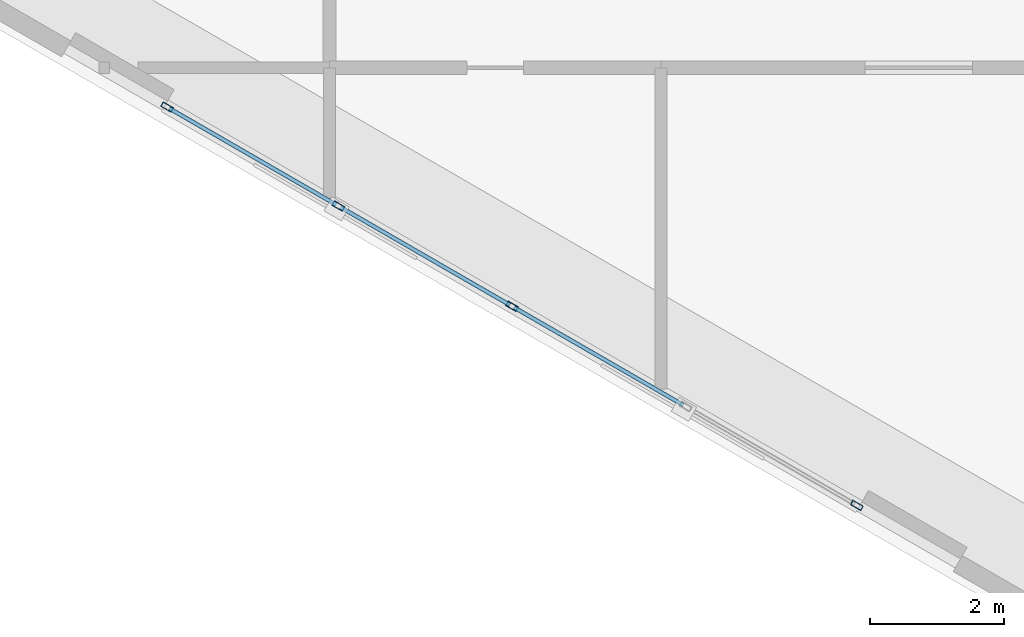
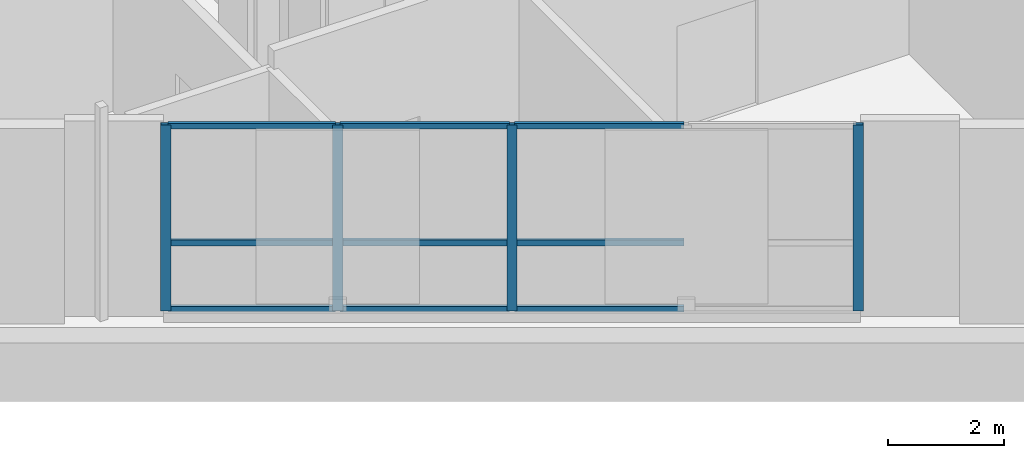
# One storey, part 3 of 29: 13 members, 1 element without a shape of its own.
"""IFC4 building model written with IfcOpenShell, lengths in metres."""

from ifc_helpers import new_model, si_unit, direction, frame, origin, origin_2d, place, context, subcontext, project, spatial, hollow_rectangle, extrude, material, layer, layer_set, material_profile, profile_set, type_object, element, aggregate, save


model = new_model("IFC4")

# Units and contexts
model_context = context("Model", 3, precision=1e-05, world=origin(), true_north=direction((0.0, 1.0)))
body_context = subcontext(model_context, "Body", "Model", "MODEL_VIEW")
ifc_project = project(units=[si_unit("LENGTHUNIT", "METRE"), si_unit("AREAUNIT", "SQUARE_METRE"), si_unit("VOLUMEUNIT", "CUBIC_METRE"), si_unit("PLANEANGLEUNIT", "RADIAN"), si_unit("MASSUNIT", "GRAM", prefix="KILO")], contexts=[model_context])

# Site, building, storey
site_placement = place(None, origin())
site = spatial("IfcSite", under=ifc_project, at=site_placement, CompositionType="ELEMENT")
building_placement = place(site_placement, origin())
building = spatial("IfcBuilding", under=site, at=building_placement, Name="Mersakhor Tower and Convention Hall", CompositionType="ELEMENT")
storey_placement = place(building_placement, frame((0.0, 0.0, 9.60009765625)))
storey = spatial("IfcBuildingStorey", under=building, at=storey_placement, Name="L02", CompositionType="ELEMENT", Elevation=9.60009765625)

# Curtain wall, members
ifc_material_1 = material(Name="Dark solar low-E aluminium curtain wall", Category="aluminium")
ifc_layer = layer(ifc_material_1, 0.18994140625)
ifc_layer_set = layer_set([ifc_layer], Name="Dark solar low-E aluminium curtain wall")
curtain_wall_type = type_object("IfcCurtainWallType", Name="CW-SYS-04", PredefinedType="USERDEFINED", material=ifc_layer_set)
curtain_wall_placement = place(storey_placement, origin())
curtain_wall = element("IfcCurtainWall", 1, at=curtain_wall_placement, inside=storey, type_object=curtain_wall_type, Name="L02 Dark-Glass Curtain Wall F3-B2", ObjectType="CURTAIN WALL", PredefinedType="USERDEFINED")
ifc_material_2 = material(Name="Anodised aluminium EN AW-6063 T6", Category="aluminium")
ifc_material_profile_1 = material_profile(ifc_material_2, hollow_rectangle(XDim=0.080078125, YDim=0.179931640625, WallThickness=0.008056640625, at=origin_2d()), Name="RHS 180x80x8")
ifc_profile_set_1 = profile_set([ifc_material_profile_1], Name="Anodised aluminium EN AW-6063 T6")
member_type_1 = type_object("IfcMemberType", Name="CWM-180x80", PredefinedType="MULLION", material=ifc_profile_set_1)
member_1_placement = place(storey_placement, frame((26.724853515625, 10.916259765625, 0.199951171875), z_axis=(0.0, 0.0, 1.0), x_axis=(-0.50000344889, -0.866023412558, 0.0)))
member_1 = element("IfcMember", 2, at=member_1_placement, type_object=member_type_1, Name="CW-04 mullion 1", PredefinedType="MULLION", context=body_context, shape_type="SweptSolid", body=[
    extrude(hollow_rectangle(XDim=0.080078125, YDim=0.179931640625, WallThickness=0.008056640625, at=origin_2d()), origin(), (0.0, 0.0, 1.0), 3.89990234375),
])
member_2_placement = place(storey_placement, frame((21.574951171875, 13.889404296875, 0.199951171875), z_axis=(0.0, 0.0, 1.0), x_axis=(-0.50000344889, -0.866023412558, 0.0)))
member_2 = element("IfcMember", 3, at=member_2_placement, type_object=member_type_1, Name="CW-04 mullion 3", PredefinedType="MULLION", context=body_context, shape_type="SweptSolid", body=[
    extrude(hollow_rectangle(XDim=0.080078125, YDim=0.179931640625, WallThickness=0.008056640625, at=origin_2d()), origin(), (0.0, 0.0, 1.0), 3.89990234375),
])
member_3_placement = place(storey_placement, frame((18.982666015625, 15.38623046875, 0.199951171875), z_axis=(0.0, 0.0, 1.0), x_axis=(-0.50000344889, -0.866023412558, 0.0)))
member_3 = element("IfcMember", 4, at=member_3_placement, type_object=member_type_1, Name="CW-04 mullion 4", PredefinedType="MULLION", context=body_context, shape_type="SweptSolid", body=[
    extrude(hollow_rectangle(XDim=0.080078125, YDim=0.179931640625, WallThickness=0.008056640625, at=origin_2d()), origin(), (0.0, 0.0, 1.0), 3.89990234375),
])
member_4_placement = place(storey_placement, frame((16.425048828125, 16.86279296875, 0.199951171875), z_axis=(0.0, 0.0, 1.0), x_axis=(-0.50000344889, -0.866023412558, 0.0)))
member_4 = element("IfcMember", 5, at=member_4_placement, type_object=member_type_1, Name="CW-04 mullion 5", PredefinedType="MULLION", context=body_context, shape_type="SweptSolid", body=[
    extrude(hollow_rectangle(XDim=0.080078125, YDim=0.179931640625, WallThickness=0.008056640625, at=origin_2d()), origin(), (0.0, 0.0, 1.0), 3.89990234375),
])
ifc_material_3 = material(Name="Anodised aluminium EN AW-6063 T6", Category="aluminium")
ifc_material_profile_2 = material_profile(ifc_material_3, hollow_rectangle(XDim=0.06005859375, YDim=0.1201171875, WallThickness=0.0048828125, at=origin_2d()), Name="RHS 120x60x5")
ifc_profile_set_2 = profile_set([ifc_material_profile_2], Name="Anodised aluminium EN AW-6063 T6")
member_type_2 = type_object("IfcMemberType", Name="CWT-120x60", PredefinedType="USERDEFINED", material=ifc_profile_set_2)
member_5_placement = place(storey_placement, frame((24.132568359375, 12.412841796875, 0.22998046875), z_axis=(-0.866037657489, 0.499978775361, 0.0), x_axis=(-0.499978775361, -0.866037657489, 0.0)))
member_5 = element("IfcMember", 6, at=member_5_placement, type_object=member_type_2, Name="CW-04 transom 2.1", ObjectType="TRANSOM", PredefinedType="USERDEFINED", context=body_context, shape_type="SweptSolid", body=[
    extrude(hollow_rectangle(XDim=0.06005859375, YDim=0.1201171875, WallThickness=0.0048828125, at=origin_2d()), origin(), (0.0, 0.0, 1.0), 2.913330078125),
])
member_6_placement = place(storey_placement, frame((24.132568359375, 12.412841796875, 1.619873046875), z_axis=(-0.866037657489, 0.499978775361, 0.0), x_axis=(-0.499978775361, -0.866037657489, 0.0)))
member_6 = element("IfcMember", 7, at=member_6_placement, type_object=member_type_2, Name="CW-04 transom 2.2", ObjectType="TRANSOM", PredefinedType="USERDEFINED", context=body_context, shape_type="SweptSolid", body=[
    extrude(hollow_rectangle(XDim=0.06005859375, YDim=0.1201171875, WallThickness=0.0048828125, at=origin_2d()), origin(), (0.0, 0.0, 1.0), 2.913330078125),
])
member_7_placement = place(storey_placement, frame((24.132568359375, 12.412841796875, 4.06982421875), z_axis=(-0.866037657489, 0.499978775361, 0.0), x_axis=(-0.499978775361, -0.866037657489, 0.0)))
member_7 = element("IfcMember", 8, at=member_7_placement, type_object=member_type_2, Name="CW-04 transom 2.3", ObjectType="TRANSOM", PredefinedType="USERDEFINED", context=body_context, shape_type="SweptSolid", body=[
    extrude(hollow_rectangle(XDim=0.06005859375, YDim=0.1201171875, WallThickness=0.0048828125, at=origin_2d()), origin(), (0.0, 0.0, 1.0), 2.913330078125),
])
member_8_placement = place(storey_placement, frame((21.540283203125, 13.909423828125, 0.22998046875), z_axis=(-0.866001369261, 0.500041626706, 0.0), x_axis=(-0.500041626706, -0.866001369261, 0.0)))
member_8 = element("IfcMember", 9, at=member_8_placement, type_object=member_type_2, Name="CW-04 transom 3.1", ObjectType="TRANSOM", PredefinedType="USERDEFINED", context=body_context, shape_type="SweptSolid", body=[
    extrude(hollow_rectangle(XDim=0.06005859375, YDim=0.1201171875, WallThickness=0.0048828125, at=origin_2d()), origin(), (0.0, 0.0, 1.0), 2.913330078125),
])
member_9_placement = place(storey_placement, frame((21.540283203125, 13.909423828125, 1.619873046875), z_axis=(-0.866001369261, 0.500041626706, 0.0), x_axis=(-0.500041626706, -0.866001369261, 0.0)))
member_9 = element("IfcMember", 10, at=member_9_placement, type_object=member_type_2, Name="CW-04 transom 3.2", ObjectType="TRANSOM", PredefinedType="USERDEFINED", context=body_context, shape_type="SweptSolid", body=[
    extrude(hollow_rectangle(XDim=0.06005859375, YDim=0.1201171875, WallThickness=0.0048828125, at=origin_2d()), origin(), (0.0, 0.0, 1.0), 2.913330078125),
])
member_10_placement = place(storey_placement, frame((21.540283203125, 13.909423828125, 4.06982421875), z_axis=(-0.866001369261, 0.500041626706, 0.0), x_axis=(-0.500041626706, -0.866001369261, 0.0)))
member_10 = element("IfcMember", 11, at=member_10_placement, type_object=member_type_2, Name="CW-04 transom 3.3", ObjectType="TRANSOM", PredefinedType="USERDEFINED", context=body_context, shape_type="SweptSolid", body=[
    extrude(hollow_rectangle(XDim=0.06005859375, YDim=0.1201171875, WallThickness=0.0048828125, at=origin_2d()), origin(), (0.0, 0.0, 1.0), 2.913330078125),
])
member_11_placement = place(storey_placement, frame((18.947998046875, 15.40625, 0.22998046875), z_axis=(-0.866038426532, 0.499977443261, 0.0), x_axis=(-0.499977443261, -0.866038426532, 0.0)))
member_11 = element("IfcMember", 12, at=member_11_placement, type_object=member_type_2, Name="CW-04 transom 4.1", ObjectType="TRANSOM", PredefinedType="USERDEFINED", context=body_context, shape_type="SweptSolid", body=[
    extrude(hollow_rectangle(XDim=0.06005859375, YDim=0.1201171875, WallThickness=0.0048828125, at=origin_2d()), origin(), (0.0, 0.0, 1.0), 2.873291015625),
])
member_12_placement = place(storey_placement, frame((18.947998046875, 15.40625, 1.619873046875), z_axis=(-0.866038426532, 0.499977443261, 0.0), x_axis=(-0.499977443261, -0.866038426532, 0.0)))
member_12 = element("IfcMember", 13, at=member_12_placement, type_object=member_type_2, Name="CW-04 transom 4.2", ObjectType="TRANSOM", PredefinedType="USERDEFINED", context=body_context, shape_type="SweptSolid", body=[
    extrude(hollow_rectangle(XDim=0.06005859375, YDim=0.1201171875, WallThickness=0.0048828125, at=origin_2d()), origin(), (0.0, 0.0, 1.0), 2.873291015625),
])
member_13_placement = place(storey_placement, frame((18.947998046875, 15.40625, 4.06982421875), z_axis=(-0.866038426532, 0.499977443261, 0.0), x_axis=(-0.499977443261, -0.866038426532, 0.0)))
member_13 = element("IfcMember", 14, at=member_13_placement, type_object=member_type_2, Name="CW-04 transom 4.3", ObjectType="TRANSOM", PredefinedType="USERDEFINED", context=body_context, shape_type="SweptSolid", body=[
    extrude(hollow_rectangle(XDim=0.06005859375, YDim=0.1201171875, WallThickness=0.0048828125, at=origin_2d()), origin(), (0.0, 0.0, 1.0), 2.873291015625),
])
aggregate(curtain_wall, [member_1, member_2, member_3, member_4, member_5, member_6, member_7, member_8, member_9, member_10, member_11, member_12, member_13])

save(model, "model.ifc")
